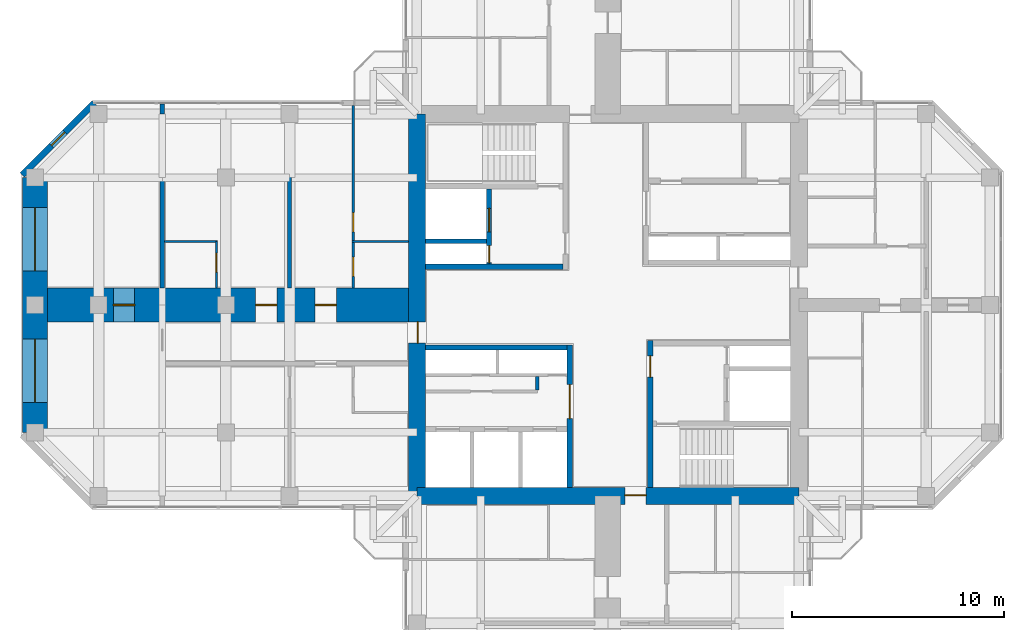
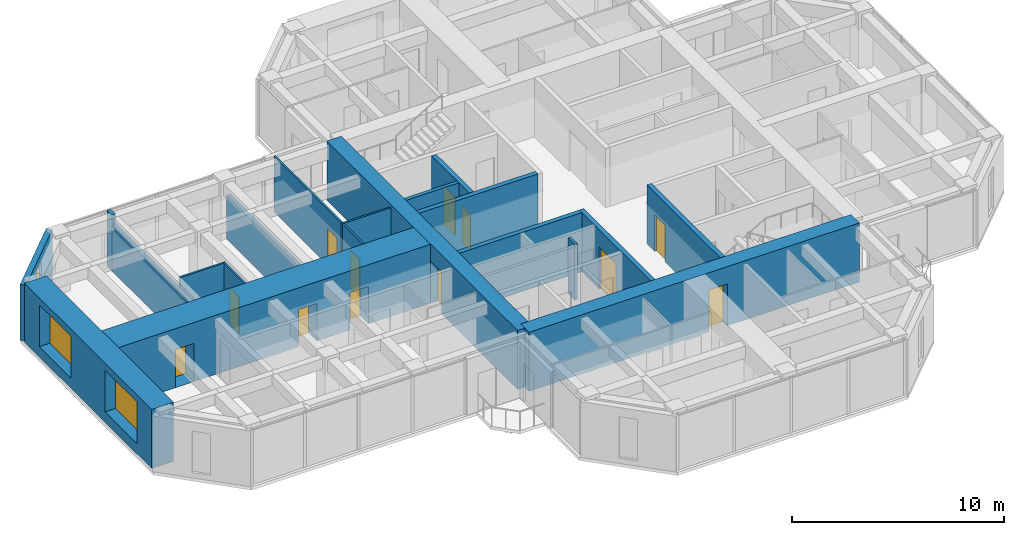
# One storey, part 9 of 13: 19 walls, 12 doors, 3 windows, 15 openings.
"""IFC4 building model written with IfcOpenShell, lengths in metres."""

from ifc_helpers import new_model, si_unit, direction, frame, frame_2d, origin, place, context, subcontext, project, spatial, rectangle, hollow_rectangle, extrude, material, layer, layer_set, constituent, constituent_set, type_object, element, fill, save


model = new_model("IFC4")

# Units and contexts
model_context = context("Model", 3, precision=1e-05, world=origin(), true_north=direction((0.0, 1.0)))
body_context = subcontext(model_context, "Body", "Model", "MODEL_VIEW")
ifc_project = project(units=[si_unit("LENGTHUNIT", "METRE"), si_unit("AREAUNIT", "SQUARE_METRE"), si_unit("VOLUMEUNIT", "CUBIC_METRE"), si_unit("PLANEANGLEUNIT", "RADIAN"), si_unit("MASSUNIT", "GRAM", prefix="KILO")], contexts=[model_context])

# Site, building, storey
site_placement = place(None, origin())
site = spatial("IfcSite", under=ifc_project, at=site_placement, CompositionType="ELEMENT")
building_placement = place(site_placement, origin())
building = spatial("IfcBuilding", under=site, at=building_placement, Name="Torre Cruceta", CompositionType="ELEMENT")
storey_placement = place(building_placement, frame((0.0, 0.0, 239.10009765625)))
storey = spatial("IfcBuildingStorey", under=building, at=storey_placement, Name="L61", CompositionType="ELEMENT", Elevation=239.10009765625)

# Wall
ifc_material_1 = material(Name="Water-resistant plasterboard on steel studs", Category="steel")
ifc_layer_1 = layer(ifc_material_1, 0.10009765625)
ifc_layer_set_1 = layer_set([ifc_layer_1], Name="Water-resistant plasterboard on steel studs")
wall_type_1 = type_object("IfcWallType", Name="BATHROOM WALL 100", PredefinedType="PARTITIONING", material=ifc_layer_set_1)
wall_1_placement = place(storey_placement, frame((-9.39990234375, 3.0, 0.0), z_axis=(0.0, 0.0, 1.0), x_axis=(-1.0, 0.0, 0.0)))
element("IfcWall", 1, at=wall_1_placement, inside=storey, type_object=wall_type_1, Name="PT4 L61-W-U1RBB", PredefinedType="PARTITIONING", context=body_context, shape_type="SweptSolid", body=[
    extrude(rectangle(XDim=2.650146484375, YDim=0.10009765625, at=frame_2d((1.3251953125, 0.0))), origin(), (0.0, 0.0, 1.0), 3.219970703125),
])

# Wall, openings, doors
wall_2_placement = place(storey_placement, frame((-12.0, 9.39501953125, 0.0), z_axis=(0.0, 0.0, 1.0), x_axis=(0.0, -1.0, 0.0)))
wall_2 = element("IfcWall", 2, at=wall_2_placement, inside=storey, type_object=wall_type_1, Name="PT4 L61-W-U1RBS", PredefinedType="PARTITIONING", context=body_context, shape_type="SweptSolid", body=[
    extrude(rectangle(XDim=8.594970703125, YDim=0.10009765625, at=frame_2d((4.29736328125, 0.0))), origin(), (0.0, 0.0, 1.0), 3.219970703125),
])
opening_1_placement = place(wall_2_placement, frame((5.044921875, 0.0, 0.0)))
opening_1 = element("IfcOpeningElement", 3, at=opening_1_placement, cuts=wall_2, Name="Opening D7", PredefinedType="OPENING", context=body_context, shape_type="SweptSolid", body=[
    extrude(rectangle(XDim=0.89990234375, YDim=2.10009765625, at=frame_2d((0.449951171875, 1.050048828125))), frame((0.0, 0.06005859375, 0.0), z_axis=(0.0, -1.0, 0.0), x_axis=(1.0, 0.0, 0.0)), (0.0, 0.0, 1.0), 0.1201171875),
])
opening_2_placement = place(wall_2_placement, frame((7.14501953125, 0.0, 0.0)))
opening_2 = element("IfcOpeningElement", 4, at=opening_2_placement, cuts=wall_2, Name="Opening D7", PredefinedType="OPENING", context=body_context, shape_type="SweptSolid", body=[
    extrude(rectangle(XDim=0.89990234375, YDim=2.10009765625, at=frame_2d((0.449951171875, 1.050048828125))), frame((0.0, 0.06005859375, 0.0), z_axis=(0.0, -1.0, 0.0), x_axis=(1.0, 0.0, 0.0)), (0.0, 0.0, 1.0), 0.1201171875),
])
ifc_material_2 = material(Name="Timber door", Category="wood")
door_type_1 = type_object("IfcDoorType", Name="BATHROOM DOOR 900X2100", OperationType="SINGLE_SWING_LEFT", PredefinedType="DOOR", material=ifc_material_2)
door_1_placement = place(opening_1_placement, origin())
door_1 = element("IfcDoor", 5, at=door_1_placement, inside=storey, type_object=door_type_1, Name="D7 L61-W-U1RBS-D1", OperationType="SINGLE_SWING_RIGHT", OverallHeight=2.10009765625, OverallWidth=0.89990234375, PredefinedType="DOOR", context=body_context, shape_type="SweptSolid", body=[
    extrude(rectangle(XDim=0.89990234375, YDim=2.10009765625, at=frame_2d((0.449951171875, 1.050048828125))), frame((0.0, 0.02490234375, 0.0), z_axis=(0.0, -1.0, 0.0), x_axis=(1.0, 0.0, 0.0)), (0.0, 0.0, 1.0), 0.050048828125),
])
fill(opening_1, door_1)
door_2_placement = place(opening_2_placement, origin())
door_2 = element("IfcDoor", 6, at=door_2_placement, inside=storey, type_object=door_type_1, Name="D7 L61-W-U1RBS-D2", OperationType="SINGLE_SWING_RIGHT", OverallHeight=2.10009765625, OverallWidth=0.89990234375, PredefinedType="DOOR", context=body_context, shape_type="SweptSolid", body=[
    extrude(rectangle(XDim=0.89990234375, YDim=2.10009765625, at=frame_2d((0.449951171875, 1.050048828125))), frame((0.0, 0.02490234375, 0.0), z_axis=(0.0, -1.0, 0.0), x_axis=(1.0, 0.0, 0.0)), (0.0, 0.0, 1.0), 0.050048828125),
])
fill(opening_2, door_2)

# Wall
wall_3_placement = place(storey_placement, frame((-18.39990234375, 3.0, 0.0), z_axis=(0.0, 0.0, 1.0), x_axis=(-1.0, 0.0, 0.0)))
element("IfcWall", 7, at=wall_3_placement, inside=storey, type_object=wall_type_1, Name="PT4 L61-W-U2RBB", PredefinedType="PARTITIONING", context=body_context, shape_type="SweptSolid", body=[
    extrude(rectangle(XDim=2.5, YDim=0.10009765625, at=frame_2d((1.25, 0.0))), origin(), (0.0, 0.0, 1.0), 3.219970703125),
])

# Wall, opening, door
wall_4_placement = place(storey_placement, frame((-18.449951171875, 3.0, 0.0), z_axis=(0.0, 0.0, 1.0), x_axis=(0.0, -1.0, 0.0)))
wall_4 = element("IfcWall", 8, at=wall_4_placement, inside=storey, type_object=wall_type_1, Name="PT4 L61-W-U2RBS", PredefinedType="PARTITIONING", context=body_context, shape_type="SweptSolid", body=[
    extrude(rectangle(XDim=2.199951171875, YDim=0.10009765625, at=frame_2d((1.10009765625, 0.0))), origin(), (0.0, 0.0, 1.0), 3.219970703125),
])
opening_3_placement = place(wall_4_placement, frame((0.550048828125, 0.0, 0.0)))
opening_3 = element("IfcOpeningElement", 9, at=opening_3_placement, cuts=wall_4, Name="Opening D7", PredefinedType="OPENING", context=body_context, shape_type="SweptSolid", body=[
    extrude(rectangle(XDim=0.89990234375, YDim=2.10009765625, at=frame_2d((0.449951171875, 1.050048828125))), frame((0.0, 0.06005859375, 0.0), z_axis=(0.0, -1.0, 0.0), x_axis=(1.0, 0.0, 0.0)), (0.0, 0.0, 1.0), 0.1201171875),
])
door_3_placement = place(opening_3_placement, frame((0.89990234375, 0.0, 0.0), z_axis=(0.0, 0.0, 1.0), x_axis=(-1.0, 0.0, 0.0)))
door_3 = element("IfcDoor", 10, at=door_3_placement, inside=storey, type_object=door_type_1, Name="D7 L61-W-U2RBS-D1", OperationType="SINGLE_SWING_RIGHT", OverallHeight=2.10009765625, OverallWidth=0.89990234375, PredefinedType="DOOR", context=body_context, shape_type="SweptSolid", body=[
    extrude(rectangle(XDim=0.89990234375, YDim=2.10009765625, at=frame_2d((0.449951171875, 1.050048828125))), frame((0.0, 0.025146484375, 0.0), z_axis=(0.0, -1.0, 0.0), x_axis=(1.0, 0.0, 0.0)), (0.0, 0.0, 1.0), 0.050048828125),
])
fill(opening_3, door_3)

# Wall
ifc_material_3 = material(Name="Concrete G60 (fck 60 MPa)", Category="concrete")
ifc_layer_2 = layer(ifc_material_3, 0.25)
ifc_layer_set_2 = layer_set([ifc_layer_2], Name="Concrete G60 (fck 60 MPa)")
wall_type_2 = type_object("IfcWallType", Name="CORE INNER WALL 250 G60", PredefinedType="SHEAR", material=ifc_layer_set_2)
wall_5_placement = place(storey_placement, frame((-2.125, 1.800048828125, 0.0), z_axis=(0.0, 0.0, 1.0), x_axis=(-1.0, 0.0, 0.0)))
element("IfcWall", 11, at=wall_5_placement, inside=storey, type_object=wall_type_2, Name="CW4 L61 NW-CV", PredefinedType="SHEAR", context=body_context, shape_type="SweptSolid", body=[
    extrude(rectangle(XDim=6.47509765625, YDim=0.25, at=frame_2d((3.237548828125, 0.0))), origin(), (0.0, 0.0, 1.0), 3.39990234375),
])

# Wall, openings, doors
wall_6_placement = place(storey_placement, frame((-5.60009765625, 1.925048828125, 0.0), z_axis=(0.0, 0.0, 1.0), x_axis=(0.0, 1.0, 0.0)))
wall_6 = element("IfcWall", 12, at=wall_6_placement, inside=storey, type_object=wall_type_2, Name="CW4 L61 NW-FU", PredefinedType="SHEAR", context=body_context, shape_type="SweptSolid", body=[
    extrude(rectangle(XDim=3.550048828125, YDim=0.25, at=frame_2d((1.77490234375, 0.0))), origin(), (0.0, 0.0, 1.0), 3.39990234375),
])
opening_4_placement = place(wall_6_placement, frame((1.52490234375, 0.0, 0.0)))
opening_4 = element("IfcOpeningElement", 13, at=opening_4_placement, cuts=wall_6, Name="Opening LD1", PredefinedType="OPENING", context=body_context, shape_type="SweptSolid", body=[
    extrude(rectangle(XDim=1.10009765625, YDim=2.199951171875, at=frame_2d((0.550048828125, 1.10009765625))), frame((0.0, 0.135009765625, 0.0), z_axis=(0.0, -1.0, 0.0), x_axis=(1.0, 0.0, 0.0)), (0.0, 0.0, 1.0), 0.27001953125),
])
opening_5_placement = place(wall_6_placement, frame((0.074951171875, 0.0, 0.0)))
opening_5 = element("IfcOpeningElement", 14, at=opening_5_placement, cuts=wall_6, Name="Opening D5", PredefinedType="OPENING", context=body_context, shape_type="SweptSolid", body=[
    extrude(rectangle(XDim=0.800048828125, YDim=2.10009765625, at=frame_2d((0.39990234375, 1.050048828125))), frame((0.0, 0.135009765625, 0.0), z_axis=(0.0, -1.0, 0.0), x_axis=(1.0, 0.0, 0.0)), (0.0, 0.0, 1.0), 0.27001953125),
])
ifc_material_4 = material(Name="Stainless steel 1.4401", Category="steel")
door_type_2 = type_object("IfcDoorType", Name="LIFT LANDING DOOR 1100X2200", OperationType="DOUBLE_DOOR_SLIDING", PredefinedType="DOOR", material=ifc_material_4)
door_4_placement = place(opening_4_placement, origin())
door_4 = element("IfcDoor", 15, at=door_4_placement, inside=storey, type_object=door_type_2, Name="Lift landing door FL1", OperationType="DOUBLE_DOOR_SLIDING", OverallHeight=2.199951171875, OverallWidth=1.10009765625, PredefinedType="DOOR", context=body_context, shape_type="SweptSolid", body=[
    extrude(rectangle(XDim=1.10009765625, YDim=2.199951171875, at=frame_2d((0.550048828125, 1.10009765625))), frame((0.0, 0.02490234375, 0.0), z_axis=(0.0, -1.0, 0.0), x_axis=(1.0, 0.0, 0.0)), (0.0, 0.0, 1.0), 0.050048828125),
])
fill(opening_4, door_4)
ifc_material_5 = material(Name="Steel DX51D", Category="steel")
ifc_constituent_1 = constituent(ifc_material_5, Name="Leaf and frame")
ifc_material_6 = material(Name="Polyester powder coating", Category="paint")
ifc_constituent_2 = constituent(ifc_material_6, Name="Finish")
ifc_constituent_set_1 = constituent_set(constituents=[ifc_constituent_1, ifc_constituent_2], Name="Steel fire door")
door_type_3 = type_object("IfcDoorType", Name="RISER ACCESS DOOR 800X2100", OperationType="SINGLE_SWING_LEFT", PredefinedType="DOOR", material=ifc_constituent_set_1)
door_5_placement = place(opening_5_placement, origin())
door_5 = element("IfcDoor", 16, at=door_5_placement, inside=storey, type_object=door_type_3, Name="D5 L61 NW-RISER", OperationType="SINGLE_SWING_LEFT", OverallHeight=2.10009765625, OverallWidth=0.800048828125, PredefinedType="DOOR", context=body_context, shape_type="SweptSolid", body=[
    extrude(rectangle(XDim=0.800048828125, YDim=2.10009765625, at=frame_2d((0.39990234375, 1.050048828125))), frame((0.0, 0.02490234375, 0.0), z_axis=(0.0, -1.0, 0.0), x_axis=(1.0, 0.0, 0.0)), (0.0, 0.0, 1.0), 0.050048828125),
])
fill(opening_5, door_5)

# Wall, opening, door
wall_7_placement = place(storey_placement, frame((-1.800048828125, -1.875, 0.0), z_axis=(0.0, 0.0, 1.0), x_axis=(0.0, -1.0, 0.0)))
wall_7 = element("IfcWall", 17, at=wall_7_placement, inside=storey, type_object=wall_type_2, Name="CW4 L61 SW-CU", PredefinedType="SHEAR", context=body_context, shape_type="SweptSolid", body=[
    extrude(rectangle(XDim=6.72509765625, YDim=0.25, at=frame_2d((3.362548828125, 0.0))), origin(), (0.0, 0.0, 1.0), 3.39990234375),
])
opening_6_placement = place(wall_7_placement, frame((1.875, 0.0, 0.0)))
opening_6 = element("IfcOpeningElement", 18, at=opening_6_placement, cuts=wall_7, Name="Opening D8", PredefinedType="OPENING", context=body_context, shape_type="SweptSolid", body=[
    extrude(rectangle(XDim=1.60009765625, YDim=2.39990234375, at=frame_2d((0.800048828125, 1.199951171875))), frame((0.0, 0.135009765625, 0.0), z_axis=(0.0, -1.0, 0.0), x_axis=(1.0, 0.0, 0.0)), (0.0, 0.0, 1.0), 0.27001953125),
])
ifc_material_7 = material(Name="Steel DX51D", Category="steel")
ifc_constituent_3 = constituent(ifc_material_7, Name="Leaf and frame")
ifc_material_8 = material(Name="Polyester powder coating", Category="paint")
ifc_constituent_4 = constituent(ifc_material_8, Name="Finish")
ifc_material_9 = material(Name="Fire-resisting glass", Category="glass")
ifc_constituent_5 = constituent(ifc_material_9, Name="Vision panel")
ifc_constituent_set_2 = constituent_set(constituents=[ifc_constituent_3, ifc_constituent_4, ifc_constituent_5], Name="Steel fire door with vision panels")
door_type_4 = type_object("IfcDoorType", Name="LIFT LOBBY DOUBLE DOOR 1600X2400", OperationType="DOUBLE_DOOR_DOUBLE_SWING", PredefinedType="DOOR", material=ifc_constituent_set_2)
door_6_placement = place(opening_6_placement, origin())
door_6 = element("IfcDoor", 19, at=door_6_placement, inside=storey, type_object=door_type_4, Name="D8 L61 SW-LOBBY", OperationType="DOUBLE_DOOR_DOUBLE_SWING", OverallHeight=2.39990234375, OverallWidth=1.60009765625, PredefinedType="DOOR", context=body_context, shape_type="SweptSolid", body=[
    extrude(rectangle(XDim=1.60009765625, YDim=2.39990234375, at=frame_2d((0.800048828125, 1.199951171875))), frame((0.0, 0.02490234375, 0.0), z_axis=(0.0, -1.0, 0.0), x_axis=(1.0, 0.0, 0.0)), (0.0, 0.0, 1.0), 0.050048828125),
])
fill(opening_6, door_6)

# Wall
wall_8_placement = place(storey_placement, frame((-1.925048828125, -2.0, 0.0), z_axis=(0.0, 0.0, 1.0), x_axis=(-1.0, 0.0, 0.0)))
element("IfcWall", 20, at=wall_8_placement, inside=storey, type_object=wall_type_2, Name="CW4 L61 SW-CV", PredefinedType="SHEAR", context=body_context, shape_type="SweptSolid", body=[
    extrude(rectangle(XDim=6.675048828125, YDim=0.25, at=frame_2d((3.33740234375, 0.0))), origin(), (0.0, 0.0, 1.0), 3.39990234375),
])

# Wall, opening, door
wall_9_placement = place(storey_placement, frame((2.0, -1.675048828125, 0.0), z_axis=(0.0, 0.0, 1.0), x_axis=(0.0, -1.0, 0.0)))
wall_9 = element("IfcWall", 21, at=wall_9_placement, inside=storey, type_object=wall_type_2, Name="CW4 L61 SE-CU", PredefinedType="SHEAR", context=body_context, shape_type="SweptSolid", body=[
    extrude(rectangle(XDim=6.925048828125, YDim=0.25, at=frame_2d((3.46240234375, 0.0))), origin(), (0.0, 0.0, 1.0), 3.39990234375),
])
opening_7_placement = place(wall_9_placement, frame((0.72509765625, 0.0, 0.0)))
opening_7 = element("IfcOpeningElement", 22, at=opening_7_placement, cuts=wall_9, Name="Opening D3", PredefinedType="OPENING", context=body_context, shape_type="SweptSolid", body=[
    extrude(rectangle(XDim=1.0, YDim=2.10009765625, at=frame_2d((0.5, 1.050048828125))), frame((0.0, 0.135009765625, 0.0), z_axis=(0.0, -1.0, 0.0), x_axis=(1.0, 0.0, 0.0)), (0.0, 0.0, 1.0), 0.27001953125),
])
ifc_material_10 = material(Name="Steel DX51D", Category="steel")
ifc_constituent_6 = constituent(ifc_material_10, Name="Leaf and frame")
ifc_material_11 = material(Name="Polyester powder coating", Category="paint")
ifc_constituent_7 = constituent(ifc_material_11, Name="Finish")
ifc_constituent_set_3 = constituent_set(constituents=[ifc_constituent_6, ifc_constituent_7], Name="Steel fire door")
door_type_5 = type_object("IfcDoorType", Name="FIRE DOOR 1000X2100", OperationType="SINGLE_SWING_LEFT", PredefinedType="DOOR", material=ifc_constituent_set_3)
door_7_placement = place(opening_7_placement, origin())
door_7 = element("IfcDoor", 23, at=door_7_placement, inside=storey, type_object=door_type_5, Name="D3 L61 SE-LOBBY", OperationType="SINGLE_SWING_LEFT", OverallHeight=2.10009765625, OverallWidth=1.0, PredefinedType="DOOR", context=body_context, shape_type="SweptSolid", body=[
    extrude(rectangle(XDim=1.0, YDim=2.10009765625, at=frame_2d((0.5, 1.050048828125))), frame((0.0, 0.02490234375, 0.0), z_axis=(0.0, -1.0, 0.0), x_axis=(1.0, 0.0, 0.0)), (0.0, 0.0, 1.0), 0.050048828125),
])
fill(opening_7, door_7)

ifc_material_12 = material(Name="Concrete G60 (fck 60 MPa)", Category="concrete")
ifc_layer_3 = layer(ifc_material_12, 0.800048828125)
ifc_layer_set_3 = layer_set([ifc_layer_3], Name="Concrete G60 (fck 60 MPa)")
wall_type_3 = type_object("IfcWallType", Name="CORE WALL 800 G60", PredefinedType="SHEAR", material=ifc_layer_set_3)
wall_10_placement = place(storey_placement, frame((-9.0, -9.0, 0.0), z_axis=(0.0, 0.0, 1.0), x_axis=(1.0, 0.0, 0.0)))
wall_10 = element("IfcWall", 24, at=wall_10_placement, inside=storey, type_object=wall_type_3, Name="CW3 L61 CW-S", PredefinedType="SHEAR", context=body_context, shape_type="SweptSolid", body=[
    extrude(rectangle(XDim=18.0, YDim=0.800048828125, at=frame_2d((9.0, 0.0))), origin(), (0.0, 0.0, 1.0), 3.39990234375),
])
opening_8_placement = place(wall_10_placement, frame((9.800048828125, 0.0, 0.0)))
opening_8 = element("IfcOpeningElement", 25, at=opening_8_placement, cuts=wall_10, Name="Opening D4", PredefinedType="OPENING", context=body_context, shape_type="SweptSolid", body=[
    extrude(rectangle(XDim=1.0, YDim=2.39990234375, at=frame_2d((0.5, 1.199951171875))), frame((0.0, 0.409912109375, 0.0), z_axis=(0.0, -1.0, 0.0), x_axis=(1.0, 0.0, 0.0)), (0.0, 0.0, 1.0), 0.820068359375),
])
ifc_material_13 = material(Name="Steel DX51D", Category="steel")
ifc_constituent_8 = constituent(ifc_material_13, Name="Leaf and frame")
ifc_material_14 = material(Name="Polyester powder coating", Category="paint")
ifc_constituent_9 = constituent(ifc_material_14, Name="Finish")
ifc_constituent_set_4 = constituent_set(constituents=[ifc_constituent_8, ifc_constituent_9], Name="Steel fire door")
door_type_6 = type_object("IfcDoorType", Name="CORE ARM DOOR 1000X2400", OperationType="SINGLE_SWING_RIGHT", PredefinedType="DOOR", material=ifc_constituent_set_4)
door_8_placement = place(opening_8_placement, origin())
door_8 = element("IfcDoor", 26, at=door_8_placement, inside=storey, type_object=door_type_6, Name="D4 L61 CW-S", OperationType="SINGLE_SWING_RIGHT", OverallHeight=2.39990234375, OverallWidth=1.0, PredefinedType="DOOR", context=body_context, shape_type="SweptSolid", body=[
    extrude(rectangle(XDim=1.0, YDim=2.39990234375, at=frame_2d((0.5, 1.199951171875))), frame((0.0, 0.05517578125, 0.0), z_axis=(0.0, -1.0, 0.0), x_axis=(1.0, 0.0, 0.0)), (0.0, 0.0, 1.0), 0.050048828125),
])
fill(opening_8, door_8)

wall_11_placement = place(storey_placement, frame((-9.0, 9.0, 0.0), z_axis=(0.0, 0.0, 1.0), x_axis=(0.0, -1.0, 0.0)))
wall_11 = element("IfcWall", 27, at=wall_11_placement, inside=storey, type_object=wall_type_3, Name="CW3 L61 CW-W", PredefinedType="SHEAR", context=body_context, shape_type="SweptSolid", body=[
    extrude(rectangle(XDim=18.0, YDim=0.800048828125, at=frame_2d((9.0, 0.0))), origin(), (0.0, 0.0, 1.0), 3.39990234375),
])
opening_9_placement = place(wall_11_placement, frame((9.800048828125, 0.0, 0.0)))
opening_9 = element("IfcOpeningElement", 28, at=opening_9_placement, cuts=wall_11, Name="Opening D4", PredefinedType="OPENING", context=body_context, shape_type="SweptSolid", body=[
    extrude(rectangle(XDim=1.0, YDim=2.39990234375, at=frame_2d((0.5, 1.199951171875))), frame((0.0, 0.409912109375, 0.0), z_axis=(0.0, -1.0, 0.0), x_axis=(1.0, 0.0, 0.0)), (0.0, 0.0, 1.0), 0.820068359375),
])
door_9_placement = place(opening_9_placement, origin())
door_9 = element("IfcDoor", 29, at=door_9_placement, inside=storey, type_object=door_type_6, Name="D4 L61 CW-W", OperationType="SINGLE_SWING_RIGHT", OverallHeight=2.39990234375, OverallWidth=1.0, PredefinedType="DOOR", context=body_context, shape_type="SweptSolid", body=[
    extrude(rectangle(XDim=1.0, YDim=2.39990234375, at=frame_2d((0.5, 1.199951171875))), frame((0.0, 0.05517578125, 0.0), z_axis=(0.0, -1.0, 0.0), x_axis=(1.0, 0.0, 0.0)), (0.0, 0.0, 1.0), 0.050048828125),
])
fill(opening_9, door_9)

# Wall, opening, window
ifc_material_15 = material(Name="Concrete G30 (fck 30 MPa)", Category="concrete")
ifc_layer_4 = layer(ifc_material_15, 0.300048828125)
ifc_layer_set_4 = layer_set([ifc_layer_4], Name="Concrete G30 (fck 30 MPa)")
wall_type_4 = type_object("IfcWallType", Name="EXPOSED CONCRETE FACADE WALL 300", PredefinedType="SOLIDWALL", material=ifc_layer_set_4)
wall_12_placement = place(storey_placement, frame((-24.21533203125, 9.52001953125, 0.0), z_axis=(0.0, 0.0, 1.0), x_axis=(-0.707132283189, -0.707081278264, 0.0)))
wall_12 = element("IfcWall", 30, at=wall_12_placement, inside=storey, type_object=wall_type_4, Name="EW1 facade wall L61 W chamfer 11", PredefinedType="SOLIDWALL", context=body_context, shape_type="SweptSolid", body=[
    extrude(rectangle(XDim=4.78662109375, YDim=0.300048828125, at=frame_2d((2.393310546875, 0.0))), origin(), (0.0, 0.0, 1.0), 3.219970703125),
])
opening_10_placement = place(wall_12_placement, frame((1.943359375, 0.0, 0.300048828125)))
opening_10 = element("IfcOpeningElement", 31, at=opening_10_placement, cuts=wall_12, Name="Opening WN5", PredefinedType="OPENING", context=body_context, shape_type="SweptSolid", body=[
    extrude(rectangle(XDim=0.89990234375, YDim=2.39990234375, at=frame_2d((0.449951171875, 1.199951171875))), frame((0.0, 0.159912109375, 0.0), z_axis=(0.0, -1.0, 0.0), x_axis=(1.0, 0.0, 0.0)), (0.0, 0.0, 1.0), 0.320068359375),
])
ifc_material_16 = material(Name="Aluminium window frame", Category="aluminium")
ifc_constituent_10 = constituent(ifc_material_16, Name="Frame")
ifc_material_17 = material(Name="Laminated insulating glass unit, low-iron clear", Category="glass")
ifc_constituent_11 = constituent(ifc_material_17, Name="Glazing")
ifc_constituent_set_5 = constituent_set(constituents=[ifc_constituent_10, ifc_constituent_11], Name="Aluminium window")
window_type_1 = type_object("IfcWindowType", Name="CHAMFER SLOT WINDOW 900X2400", PartitioningType="SINGLE_PANEL", PredefinedType="WINDOW", material=ifc_constituent_set_5)
window_1_placement = place(opening_10_placement, origin())
window_1 = element("IfcWindow", 32, at=window_1_placement, inside=storey, type_object=window_type_1, Name="WN5 L61 W 1", OverallHeight=2.39990234375, OverallWidth=0.89990234375, PartitioningType="SINGLE_PANEL", PredefinedType="WINDOW", context=body_context, shape_type="SweptSolid", body=[
    extrude(hollow_rectangle(XDim=0.89990234375, YDim=2.39990234375, WallThickness=0.06005859375, at=frame_2d((0.449951171875, 1.199951171875))), frame((0.0, 0.030029296875, 0.0), z_axis=(0.0, -1.0, 0.0), x_axis=(1.0, 0.0, 0.0)), (0.0, 0.0, 1.0), 0.06005859375),
    extrude(rectangle(XDim=0.77880859375, YDim=2.27880859375, at=frame_2d((0.449951171875, 1.199951171875))), frame((0.0, 0.030029296875, 0.0), z_axis=(0.0, -1.0, 0.0), x_axis=(1.0, 0.0, 0.0)), (0.0, 0.0, 1.0), 0.06005859375),
])
fill(opening_10, window_1)

# Wall
ifc_material_18 = material(Name="Concrete G35 (fck 35 MPa)", Category="concrete")
ifc_layer_5 = layer(ifc_material_18, 0.199951171875)
ifc_layer_set_5 = layer_set([ifc_layer_5], Name="Concrete G35 (fck 35 MPa)")
wall_type_5 = type_object("IfcWallType", Name="LIFT SHAFT WALL 200", PredefinedType="PARTITIONING", material=ifc_layer_set_5)
wall_13_placement = place(storey_placement, frame((-5.72509765625, 3.0, 0.0), z_axis=(0.0, 0.0, 1.0), x_axis=(-1.0, 0.0, 0.0)))
element("IfcWall", 33, at=wall_13_placement, inside=storey, type_object=wall_type_5, Name="SW1 L61 NW-FR", PredefinedType="PARTITIONING", context=body_context, shape_type="SweptSolid", body=[
    extrude(rectangle(XDim=2.875, YDim=0.199951171875, at=frame_2d((1.4375, 0.0))), origin(), (0.0, 0.0, 1.0), 3.39990234375),
])

# Wall, openings, windows
ifc_material_19 = material(Name="Concrete G60 (fck 60 MPa)", Category="concrete")
ifc_layer_6 = layer(ifc_material_19, 1.199951171875)
ifc_layer_set_6 = layer_set([ifc_layer_6], Name="Concrete G60 (fck 60 MPa)")
wall_type_6 = type_object("IfcWallType", Name="NOSE WALL 1200 G60", PredefinedType="SHEAR", material=ifc_layer_set_6)
wall_14_placement = place(storey_placement, frame((-27.0, 6.0, 0.0), z_axis=(0.0, 0.0, 1.0), x_axis=(0.0, -1.0, 0.0)))
wall_14 = element("IfcWall", 34, at=wall_14_placement, inside=storey, type_object=wall_type_6, Name="NW1 nose wall L61 W", PredefinedType="SHEAR", context=body_context, shape_type="SweptSolid", body=[
    extrude(rectangle(XDim=12.0, YDim=1.199951171875, at=frame_2d((6.0, 0.0))), origin(), (0.0, 0.0, 1.0), 3.39990234375),
])
opening_11_placement = place(wall_14_placement, frame((1.39990234375, 0.0, 0.60009765625)))
opening_11 = element("IfcOpeningElement", 35, at=opening_11_placement, cuts=wall_14, Name="Opening WN6", PredefinedType="OPENING", context=body_context, shape_type="SweptSolid", body=[
    extrude(rectangle(XDim=3.0, YDim=2.39990234375, at=frame_2d((1.5, 1.199951171875))), frame((0.0, 0.60986328125, 0.0), z_axis=(0.0, -1.0, 0.0), x_axis=(1.0, 0.0, 0.0)), (0.0, 0.0, 1.0), 1.219970703125),
])
opening_12_placement = place(wall_14_placement, frame((7.60009765625, 0.0, 0.60009765625)))
opening_12 = element("IfcOpeningElement", 36, at=opening_12_placement, cuts=wall_14, Name="Opening WN6", PredefinedType="OPENING", context=body_context, shape_type="SweptSolid", body=[
    extrude(rectangle(XDim=3.0, YDim=2.39990234375, at=frame_2d((1.5, 1.199951171875))), frame((0.0, 0.60986328125, 0.0), z_axis=(0.0, -1.0, 0.0), x_axis=(1.0, 0.0, 0.0)), (0.0, 0.0, 1.0), 1.219970703125),
])
ifc_material_20 = material(Name="Aluminium window frame", Category="aluminium")
ifc_constituent_12 = constituent(ifc_material_20, Name="Frame")
ifc_material_21 = material(Name="Laminated insulating glass unit, low-iron clear", Category="glass")
ifc_constituent_13 = constituent(ifc_material_21, Name="Glazing")
ifc_constituent_set_6 = constituent_set(constituents=[ifc_constituent_12, ifc_constituent_13], Name="Aluminium window")
window_type_2 = type_object("IfcWindowType", Name="NOSE WALL WINDOW 3000X2400", PartitioningType="SINGLE_PANEL", PredefinedType="WINDOW", material=ifc_constituent_set_6)
window_2_placement = place(opening_11_placement, origin())
window_2 = element("IfcWindow", 37, at=window_2_placement, inside=storey, type_object=window_type_2, Name="WN6 L61 W 1", OverallHeight=2.39990234375, OverallWidth=3.0, PartitioningType="SINGLE_PANEL", PredefinedType="WINDOW", context=body_context, shape_type="SweptSolid", body=[
    extrude(hollow_rectangle(XDim=3.0, YDim=2.39990234375, WallThickness=0.06005859375, at=frame_2d((1.5, 1.199951171875))), frame((0.0, 0.030029296875, 0.0), z_axis=(0.0, -1.0, 0.0), x_axis=(1.0, 0.0, 0.0)), (0.0, 0.0, 1.0), 0.06005859375),
    extrude(rectangle(XDim=2.87890625, YDim=2.27880859375, at=frame_2d((1.5, 1.199951171875))), frame((0.0, 0.030029296875, 0.0), z_axis=(0.0, -1.0, 0.0), x_axis=(1.0, 0.0, 0.0)), (0.0, 0.0, 1.0), 0.06005859375),
])
fill(opening_11, window_2)
window_3_placement = place(opening_12_placement, origin())
window_3 = element("IfcWindow", 38, at=window_3_placement, inside=storey, type_object=window_type_2, Name="WN6 L61 W 2", OverallHeight=2.39990234375, OverallWidth=3.0, PartitioningType="SINGLE_PANEL", PredefinedType="WINDOW", context=body_context, shape_type="SweptSolid", body=[
    extrude(hollow_rectangle(XDim=3.0, YDim=2.39990234375, WallThickness=0.06005859375, at=frame_2d((1.5, 1.199951171875))), frame((0.0, 0.030029296875, 0.0), z_axis=(0.0, -1.0, 0.0), x_axis=(1.0, 0.0, 0.0)), (0.0, 0.0, 1.0), 0.06005859375),
    extrude(rectangle(XDim=2.87890625, YDim=2.27880859375, at=frame_2d((1.5, 1.199951171875))), frame((0.0, 0.030029296875, 0.0), z_axis=(0.0, -1.0, 0.0), x_axis=(1.0, 0.0, 0.0)), (0.0, 0.0, 1.0), 0.06005859375),
])
fill(opening_12, window_3)

# Wall
ifc_material_22 = material(Name="Plasterboard on steel studs", Category="steel")
ifc_layer_7 = layer(ifc_material_22, 0.14990234375)
ifc_layer_set_7 = layer_set([ifc_layer_7], Name="Plasterboard on steel studs")
wall_type_7 = type_object("IfcWallType", Name="PARTITION 150", PredefinedType="PARTITIONING", material=ifc_layer_set_7)
wall_15_placement = place(storey_placement, frame((-3.324951171875, -3.375, 0.0), z_axis=(0.0, 0.0, 1.0), x_axis=(0.0, -1.0, 0.0)))
element("IfcWall", 39, at=wall_15_placement, inside=storey, type_object=wall_type_7, Name="PT1 L61-CORE-SW-CUPBOARDE", PredefinedType="PARTITIONING", context=body_context, shape_type="SweptSolid", body=[
    extrude(rectangle(XDim=0.625, YDim=0.14990234375, at=frame_2d((0.3125, 0.0))), origin(), (0.0, 0.0, 1.0), 3.219970703125),
])

# Wall, openings, doors
ifc_material_23 = material(Name="Concrete G60 (fck 60 MPa)", Category="concrete")
ifc_layer_8 = layer(ifc_material_23, 1.60009765625)
ifc_layer_set_8 = layer_set([ifc_layer_8], Name="Concrete G60 (fck 60 MPa)")
wall_type_8 = type_object("IfcWallType", Name="SPINE WALL 1600 G60", PredefinedType="SHEAR", material=ifc_layer_set_8)
wall_16_placement = place(storey_placement, frame((-9.0, 0.0, 0.0), z_axis=(0.0, 0.0, 1.0), x_axis=(-1.0, 0.0, 0.0)))
wall_16 = element("IfcWall", 40, at=wall_16_placement, inside=storey, type_object=wall_type_8, Name="SW2 spine wall L61 W", PredefinedType="SHEAR", context=body_context, shape_type="SweptSolid", body=[
    extrude(rectangle(XDim=18.0, YDim=1.60009765625, at=frame_2d((9.0, 0.0))), origin(), (0.0, 0.0, 1.0), 3.39990234375),
])
opening_13_placement = place(wall_16_placement, frame((3.800048828125, 0.0, 0.0)))
opening_13 = element("IfcOpeningElement", 41, at=opening_13_placement, cuts=wall_16, Name="Opening D6", PredefinedType="OPENING", context=body_context, shape_type="SweptSolid", body=[
    extrude(rectangle(XDim=1.0, YDim=2.14990234375, at=frame_2d((0.5, 1.074951171875))), frame((0.0, 0.81005859375, 0.0), z_axis=(0.0, -1.0, 0.0), x_axis=(1.0, 0.0, 0.0)), (0.0, 0.0, 1.0), 1.6201171875),
])
opening_14_placement = place(wall_16_placement, frame((6.60009765625, 0.0, 0.0)))
opening_14 = element("IfcOpeningElement", 42, at=opening_14_placement, cuts=wall_16, Name="Opening D6", PredefinedType="OPENING", context=body_context, shape_type="SweptSolid", body=[
    extrude(rectangle(XDim=1.0, YDim=2.14990234375, at=frame_2d((0.5, 1.074951171875))), frame((0.0, 0.81005859375, 0.0), z_axis=(0.0, -1.0, 0.0), x_axis=(1.0, 0.0, 0.0)), (0.0, 0.0, 1.0), 1.6201171875),
])
opening_15_placement = place(wall_16_placement, frame((13.300048828125, 0.0, 0.0)))
opening_15 = element("IfcOpeningElement", 43, at=opening_15_placement, cuts=wall_16, Name="Opening D14", PredefinedType="OPENING", context=body_context, shape_type="SweptSolid", body=[
    extrude(rectangle(XDim=1.0, YDim=2.199951171875, at=frame_2d((0.5, 1.10009765625))), frame((0.0, 0.81005859375, 0.0), z_axis=(0.0, -1.0, 0.0), x_axis=(1.0, 0.0, 0.0)), (0.0, 0.0, 1.0), 1.6201171875),
])
ifc_material_24 = material(Name="Steel DX51D", Category="steel")
ifc_constituent_14 = constituent(ifc_material_24, Name="Leaf and frame")
ifc_material_25 = material(Name="Polyester powder coating", Category="paint")
ifc_constituent_15 = constituent(ifc_material_25, Name="Finish")
ifc_material_26 = material(Name="Fire-resisting glass", Category="glass")
ifc_constituent_16 = constituent(ifc_material_26, Name="Vision panel")
ifc_constituent_set_7 = constituent_set(constituents=[ifc_constituent_14, ifc_constituent_15, ifc_constituent_16], Name="Steel fire door with vision panel")
door_type_7 = type_object("IfcDoorType", Name="FIRE DOOR VISION PANEL 1000X2200", OperationType="SINGLE_SWING_RIGHT", PredefinedType="DOOR", material=ifc_constituent_set_7)
door_10_placement = place(opening_15_placement, origin())
door_10 = element("IfcDoor", 44, at=door_10_placement, inside=storey, type_object=door_type_7, Name="D14 L61-W-SP3", OperationType="SINGLE_SWING_LEFT", OverallHeight=2.199951171875, OverallWidth=1.0, PredefinedType="DOOR", context=body_context, shape_type="SweptSolid", body=[
    extrude(rectangle(XDim=1.0, YDim=2.199951171875, at=frame_2d((0.5, 1.10009765625))), frame((0.0, 0.02490234375, 0.0), z_axis=(0.0, -1.0, 0.0), x_axis=(1.0, 0.0, 0.0)), (0.0, 0.0, 1.0), 0.050048828125),
])
fill(opening_15, door_10)
ifc_material_27 = material(Name="Timber fire door", Category="wood")
door_type_8 = type_object("IfcDoorType", Name="UNIT ENTRANCE DOOR 1000X2150", OperationType="SINGLE_SWING_LEFT", PredefinedType="DOOR", material=ifc_material_27)
door_11_placement = place(opening_13_placement, frame((1.0, 0.0, 0.0), z_axis=(0.0, 0.0, 1.0), x_axis=(-1.0, 0.0, 0.0)))
door_11 = element("IfcDoor", 45, at=door_11_placement, inside=storey, type_object=door_type_8, Name="D6 L61-W-SP1", OperationType="SINGLE_SWING_RIGHT", OverallHeight=2.14990234375, OverallWidth=1.0, PredefinedType="DOOR", context=body_context, shape_type="SweptSolid", body=[
    extrude(rectangle(XDim=1.0, YDim=2.14990234375, at=frame_2d((0.5, 1.074951171875))), frame((0.0, 0.025146484375, 0.0), z_axis=(0.0, -1.0, 0.0), x_axis=(1.0, 0.0, 0.0)), (0.0, 0.0, 1.0), 0.050048828125),
])
fill(opening_13, door_11)
door_12_placement = place(opening_14_placement, frame((1.0, 0.0, 0.0), z_axis=(0.0, 0.0, 1.0), x_axis=(-1.0, 0.0, 0.0)))
door_12 = element("IfcDoor", 46, at=door_12_placement, inside=storey, type_object=door_type_8, Name="D6 L61-W-SP2", OperationType="SINGLE_SWING_RIGHT", OverallHeight=2.14990234375, OverallWidth=1.0, PredefinedType="DOOR", context=body_context, shape_type="SweptSolid", body=[
    extrude(rectangle(XDim=1.0, YDim=2.14990234375, at=frame_2d((0.5, 1.074951171875))), frame((0.0, 0.025146484375, 0.0), z_axis=(0.0, -1.0, 0.0), x_axis=(1.0, 0.0, 0.0)), (0.0, 0.0, 1.0), 0.050048828125),
])
fill(opening_14, door_12)

# Walls
ifc_material_28 = material(Name="Concrete G25 (fck 25 MPa)", Category="concrete")
ifc_layer_9 = layer(ifc_material_28, 0.199951171875)
ifc_layer_set_9 = layer_set([ifc_layer_9], Name="Concrete G25 (fck 25 MPa)")
wall_type_9 = type_object("IfcWallType", Name="UNIT SEPARATING WALL 200", PredefinedType="SOLIDWALL", material=ifc_layer_set_9)
wall_17_placement = place(storey_placement, frame((-15.0, 8.60009765625, 0.0), z_axis=(0.0, 0.0, 1.0), x_axis=(0.0, -1.0, 0.0)))
element("IfcWall", 47, at=wall_17_placement, inside=storey, type_object=wall_type_9, Name="PT2 L61-W-P1R", PredefinedType="SOLIDWALL", context=body_context, shape_type="SweptSolid", body=[
    extrude(rectangle(XDim=7.800048828125, YDim=0.199951171875, at=frame_2d((3.89990234375, 0.0))), origin(), (0.0, 0.0, 1.0), 2.52001953125),
])
wall_18_placement = place(storey_placement, frame((-21.0, 9.47998046875, 0.0), z_axis=(0.0, 0.0, 1.0), x_axis=(0.0, -1.0, 0.0)))
element("IfcWall", 48, at=wall_18_placement, inside=storey, type_object=wall_type_9, Name="PT2 L61-W-ENDa", PredefinedType="SOLIDWALL", context=body_context, shape_type="SweptSolid", body=[
    extrude(rectangle(XDim=0.47998046875, YDim=0.199951171875, at=frame_2d((0.239990234375, 0.0))), origin(), (0.0, 0.0, 1.0), 3.219970703125),
])
wall_19_placement = place(storey_placement, frame((-21.0, 9.0, 0.0), z_axis=(0.0, 0.0, 1.0), x_axis=(0.0, -1.0, 0.0)))
element("IfcWall", 49, at=wall_19_placement, inside=storey, type_object=wall_type_9, Name="PT2 L61-W-ENDa 2", PredefinedType="SOLIDWALL", context=body_context, shape_type="SweptSolid", body=[
    extrude(rectangle(XDim=8.199951171875, YDim=0.199951171875, at=frame_2d((4.10009765625, 0.0))), origin(), (0.0, 0.0, 1.0), 2.669921875),
])

save(model, "model.ifc")
